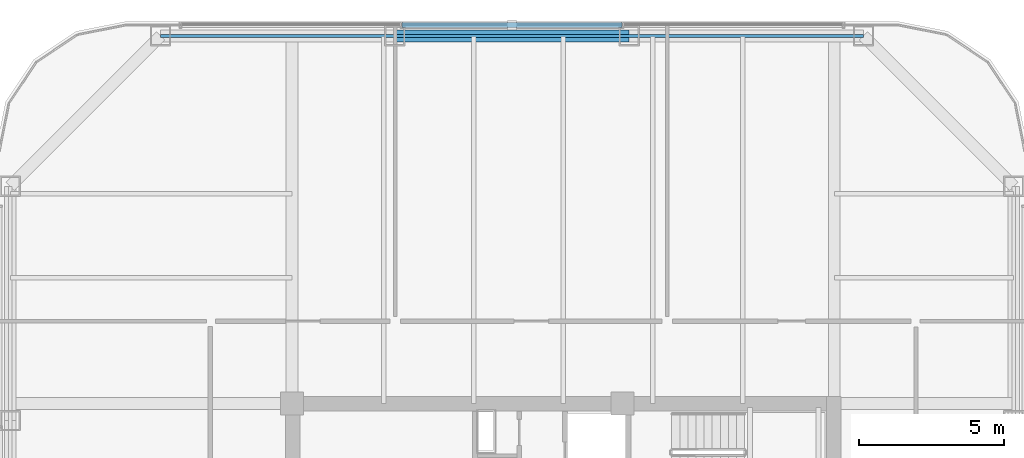
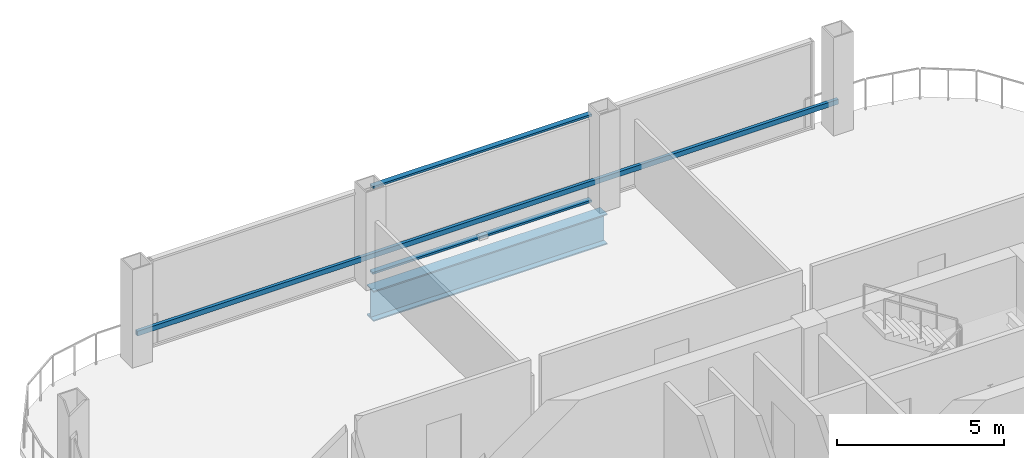
# One storey, part 12 of 19: 3 members, 1 beam, 1 element without a shape of its own.
"""IFC4 building model written with IfcOpenShell, lengths in metres."""

from ifc_helpers import new_model, si_unit, direction, frame, origin, origin_2d, place, context, subcontext, project, spatial, hollow_rectangle, i_section, extrude, material, layer, layer_set, material_profile, profile_set, type_object, element, aggregate, save


model = new_model("IFC4")

# Units and contexts
model_context = context("Model", 3, precision=1e-05, world=origin(), true_north=direction((0.0, 1.0)))
body_context = subcontext(model_context, "Body", "Model", "MODEL_VIEW")
ifc_project = project(units=[si_unit("LENGTHUNIT", "METRE"), si_unit("AREAUNIT", "SQUARE_METRE"), si_unit("VOLUMEUNIT", "CUBIC_METRE"), si_unit("PLANEANGLEUNIT", "RADIAN"), si_unit("MASSUNIT", "GRAM", prefix="KILO")], contexts=[model_context])

# Site, building, storey
site_placement = place(None, origin())
site = spatial("IfcSite", under=ifc_project, at=site_placement, CompositionType="ELEMENT")
building_placement = place(site_placement, origin())
building = spatial("IfcBuilding", under=site, at=building_placement, Name="Qhalaya Broadcast Tower", CompositionType="ELEMENT")
storey_placement = place(building_placement, frame((0.0, 0.0, 148.199951171875)))
storey = spatial("IfcBuildingStorey", under=building, at=storey_placement, Name="L43", CompositionType="ELEMENT", Elevation=148.199951171875)

# Member
ifc_material_1 = material(Name="Fired Architectural Terracotta", Category="masonry")
ifc_material_profile_1 = material_profile(ifc_material_1, hollow_rectangle(XDim=0.110107421875, YDim=0.179931640625, WallThickness=0.01806640625, at=origin_2d()), Name="TB-BAG 110x180x18")
ifc_profile_set_1 = profile_set([ifc_material_profile_1], Name="Fired Architectural Terracotta")
member_type_1 = type_object("IfcMemberType", Name="Fired Terracotta Facade Baguette Member TB1", PredefinedType="USERDEFINED", material=ifc_profile_set_1)
member_1_placement = place(storey_placement, frame((10.3798828125, 22.659912109375, 0.966064453125), z_axis=(-1.0, 0.0, 0.0), x_axis=(0.0, -1.0, 0.0)))
element("IfcMember", 1, at=member_1_placement, inside=storey, type_object=member_type_1, Name="L43 Terracotta Baguette Feature Rail N", ObjectType="BAGUETTE", PredefinedType="USERDEFINED", context=body_context, shape_type="SweptSolid", body=[
    extrude(hollow_rectangle(XDim=0.110107421875, YDim=0.179931640625, WallThickness=0.01806640625, at=origin_2d()), origin(), (0.0, 0.0, 1.0), 24.2998046875),
])

# Beam
ifc_material_2 = material(Name="Structural Steel ASTM A992 Grade 50", Category="steel")
ifc_material_profile_2 = material_profile(ifc_material_2, i_section(OverallWidth=0.404052734375, OverallDepth=1.117919921875, WebThickness=0.026123046875, FlangeThickness=0.044921875, at=origin_2d()), Name="W44X335")
ifc_profile_set_2 = profile_set([ifc_material_profile_2], Name="Structural Steel ASTM A992 Grade 50")
beam_type = type_object("IfcBeamType", Name="Podium Long-Span Primary Girder PG1", PredefinedType="USERDEFINED", material=ifc_profile_set_2)
beam_placement = place(storey_placement, frame((2.280029296875, 22.659912109375, -0.779052734375), z_axis=(-1.0, 0.0, 0.0), x_axis=(0.0, -1.0, 0.0)))
element("IfcBeam", 2, at=beam_placement, inside=storey, type_object=beam_type, Name="L43 PG1 L43-SPR-10", ObjectType="GIRDER", PredefinedType="USERDEFINED", context=body_context, shape_type="SweptSolid", body=[
    extrude(i_section(OverallWidth=0.404052734375, OverallDepth=1.117919921875, WebThickness=0.026123046875, FlangeThickness=0.044921875, at=origin_2d()), origin(), (0.0, 0.0, 1.0), 8.10009765625),
])

# Curtain wall, members
ifc_material_3 = material(Name="Solar-Control Low-E Triple Glazing", Category="glass")
ifc_layer = layer(ifc_material_3, 0.219970703125, Name="Solar-Control Low-E Triple Glazing")
ifc_layer_set = layer_set([ifc_layer], Name="Solar-Control Low-E Triple Glazing")
curtain_wall_type = type_object("IfcCurtainWallType", Name="Recessed Sky-Garden Neck Ribbon Curtain Wall CW-05", PredefinedType="NOTDEFINED", material=ifc_layer_set)
curtain_wall_placement = place(storey_placement, origin())
curtain_wall = element("IfcCurtainWall", 3, at=curtain_wall_placement, inside=storey, type_object=curtain_wall_type, Name="L43 Unitised Curtain Wall L43-CW-N", PredefinedType="NOTDEFINED")
ifc_material_4 = material(Name="Anodised Aluminium 6063-T6", Category="aluminium")
ifc_material_profile_3 = material_profile(ifc_material_4, hollow_rectangle(XDim=0.074951171875, YDim=0.179931640625, WallThickness=0.00390625, at=origin_2d()), Name="ALU-TRN 75x180x4")
ifc_profile_set_3 = profile_set([ifc_material_profile_3], Name="Anodised Aluminium 6063-T6")
member_type_2 = type_object("IfcMemberType", Name="Unitised Curtain-Wall Transom T01", PredefinedType="USERDEFINED", material=ifc_profile_set_3)
member_2_placement = place(storey_placement, frame((2.02587890625, 23.0400390625, 0.03759765625), z_axis=(-1.0, 0.0, 0.0), x_axis=(0.0, 0.0, 1.0)))
member_2 = element("IfcMember", 4, at=member_2_placement, type_object=member_type_2, Name="CW-05 transom 2.1", ObjectType="TRANSOM", PredefinedType="USERDEFINED", context=body_context, shape_type="SweptSolid", body=[
    extrude(hollow_rectangle(XDim=0.074951171875, YDim=0.179931640625, WallThickness=0.00390625, at=origin_2d()), origin(), (0.0, 0.0, 1.0), 7.591796875),
])
member_3_placement = place(storey_placement, frame((2.02587890625, 23.0400390625, 3.1826171875), z_axis=(-1.0, 0.0, 0.0), x_axis=(0.0, 0.0, 1.0)))
member_3 = element("IfcMember", 5, at=member_3_placement, type_object=member_type_2, Name="CW-05 transom 2.2", ObjectType="TRANSOM", PredefinedType="USERDEFINED", context=body_context, shape_type="SweptSolid", body=[
    extrude(hollow_rectangle(XDim=0.074951171875, YDim=0.179931640625, WallThickness=0.00390625, at=origin_2d()), origin(), (0.0, 0.0, 1.0), 7.591796875),
])
aggregate(curtain_wall, [member_2, member_3])

save(model, "model.ifc")
